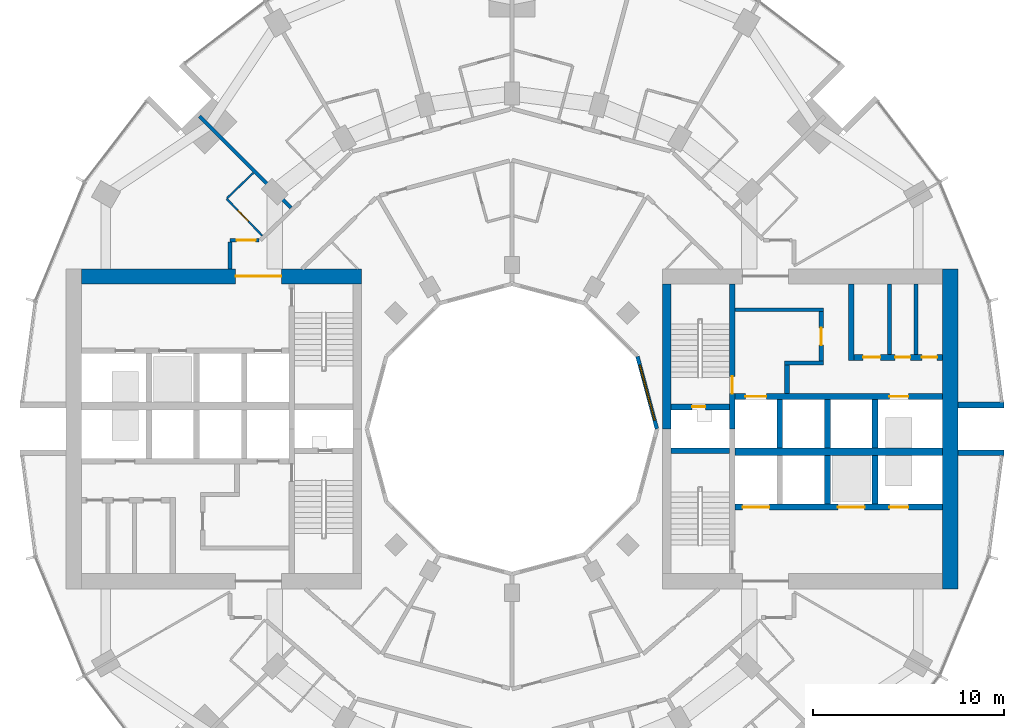
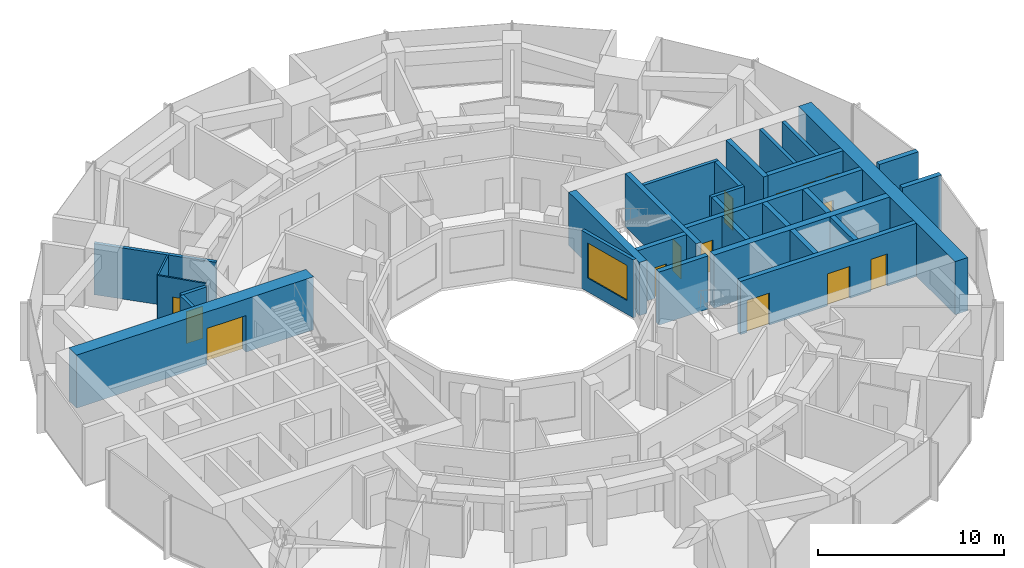
# One storey, part 11 of 15: 30 walls, 14 doors, 1 window, 15 openings.
"""IFC4 building model written with IfcOpenShell, lengths in metres."""

from ifc_helpers import new_model, si_unit, direction, frame, frame_2d, origin, place, context, subcontext, project, spatial, rectangle, extrude, material, layer, layer_set, type_object, element, fill, save


model = new_model("IFC4")

# Units and contexts
model_context = context("Model", 3, precision=1e-05, world=origin(), true_north=direction((0.0, 1.0)))
body_context = subcontext(model_context, "Body", "Model", "MODEL_VIEW")
ifc_project = project(units=[si_unit("LENGTHUNIT", "METRE"), si_unit("AREAUNIT", "SQUARE_METRE"), si_unit("VOLUMEUNIT", "CUBIC_METRE"), si_unit("PLANEANGLEUNIT", "RADIAN"), si_unit("MASSUNIT", "GRAM", prefix="KILO")], contexts=[model_context])

# Site, building, storey
site_placement = place(None, origin())
site = spatial("IfcSite", under=ifc_project, at=site_placement, CompositionType="ELEMENT")
building_placement = place(site_placement, origin())
building = spatial("IfcBuilding", under=site, at=building_placement, Name="Torre Brocal", CompositionType="ELEMENT")
storey_placement = place(building_placement, frame((0.0, 0.0, 32.60009765625)))
storey = spatial("IfcBuildingStorey", under=building, at=storey_placement, Name="L06", CompositionType="ELEMENT", Elevation=32.60009765625)

# Walls
ifc_material_1 = material(Name="Masonry block", Category="masonry")
ifc_layer_1 = layer(ifc_material_1, 0.199951171875)
ifc_layer_set_1 = layer_set([ifc_layer_1], Name="Masonry block")
wall_type_1 = type_object("IfcWallType", Name="CORE PARTITION 200", PredefinedType="PARTITIONING", material=ifc_layer_set_1)
for number, where, z_axis, x_axis, name in (
    (1, (99.81005859375, 78.89990234375, 0.0), (0.0, 0.0, 1.0), (0.0, 1.0, 0.0), "Wall CP200"),
    (2, (101.205078125, 78.89990234375, 0.0), (0.0, 0.0, 1.0), (0.0, 1.0, 0.0), "Wall CP200"),
):
    element("IfcWall", number, at=place(storey_placement, frame(where, z_axis=z_axis, x_axis=x_axis)), inside=storey, type_object=wall_type_1, Name=name, PredefinedType="PARTITIONING", context=body_context, shape_type="SweptSolid", body=[
        extrude(rectangle(XDim=3.7001953125, YDim=0.199951171875, at=frame_2d((1.85009765625, 0.0))), origin(), (0.0, 0.0, 1.0), 3.47998046875),
    ])
ifc_material_2 = material(Name="Concrete C80", Category="concrete")
ifc_layer_2 = layer(ifc_material_2, 0.199951171875)
ifc_layer_set_2 = layer_set([ifc_layer_2], Name="Concrete C80")
wall_type_2 = type_object("IfcWallType", Name="CORE WALL 200 C80", PredefinedType="SHEAR", material=ifc_layer_set_2)
wall_1_placement = place(storey_placement, frame((91.699951171875, 81.25, 0.0), z_axis=(0.0, 0.0, 1.0), x_axis=(1.0, 0.0, 0.0)))
element("IfcWall", 3, at=wall_1_placement, inside=storey, type_object=wall_type_2, Name="Wall CW200-80", PredefinedType="SHEAR", context=body_context, shape_type="SweptSolid", body=[
    extrude(rectangle(XDim=4.650146484375, YDim=0.199951171875, at=frame_2d((2.3251953125, 0.0))), origin(), (0.0, 0.0, 1.0), 3.47998046875),
])
wall_2_placement = place(storey_placement, frame((94.300048828125, 78.449951171875, 0.0), z_axis=(0.0, 0.0, 1.0), x_axis=(1.0, 0.0, 0.0)))
element("IfcWall", 4, at=wall_2_placement, inside=storey, type_object=wall_type_2, Name="Wall CW200-80", PredefinedType="SHEAR", context=body_context, shape_type="SweptSolid", body=[
    extrude(rectangle(XDim=2.050048828125, YDim=0.199951171875, at=frame_2d((1.02490234375, 0.0))), origin(), (0.0, 0.0, 1.0), 3.47998046875),
])

# Wall, opening, door
ifc_material_3 = material(Name="Concrete C80", Category="concrete")
ifc_layer_3 = layer(ifc_material_3, 0.25)
ifc_layer_set_3 = layer_set([ifc_layer_3], Name="Concrete C80")
wall_type_3 = type_object("IfcWallType", Name="CORE WALL 250 C80", PredefinedType="SHEAR", material=ifc_layer_set_3)
wall_3_placement = place(storey_placement, frame((96.22509765625, 78.550048828125, 0.0), z_axis=(0.0, 0.0, 1.0), x_axis=(0.0, 1.0, 0.0)))
wall_3 = element("IfcWall", 5, at=wall_3_placement, inside=storey, type_object=wall_type_3, Name="Wall CW250-80", PredefinedType="SHEAR", context=body_context, shape_type="SweptSolid", body=[
    extrude(rectangle(XDim=2.599853515625, YDim=0.25, at=frame_2d((1.2998046875, 0.0))), origin(), (0.0, 0.0, 1.0), 3.47998046875),
])
opening_1_placement = place(wall_3_placement, frame((0.85009765625, 0.0, 0.0)))
opening_1 = element("IfcOpeningElement", 6, at=opening_1_placement, cuts=wall_3, Name="Opening E-D15", PredefinedType="OPENING", context=body_context, shape_type="SweptSolid", body=[
    extrude(rectangle(XDim=0.89990234375, YDim=2.10009765625, at=frame_2d((0.449951171875, 1.050048828125))), frame((0.0, 0.135009765625, 0.0), z_axis=(0.0, -1.0, 0.0), x_axis=(1.0, 0.0, 0.0)), (0.0, 0.0, 1.0), 0.27001953125),
])
ifc_material_4 = material(Name="Steel A653", Category="steel")
door_type_1 = type_object("IfcDoorType", Name="LOBBY DOOR FD120 900X2100", OperationType="SINGLE_SWING_RIGHT", PredefinedType="DOOR", material=ifc_material_4)
door_1_placement = place(opening_1_placement, origin())
door_1 = element("IfcDoor", 7, at=door_1_placement, inside=storey, type_object=door_type_1, Name="Door E-D15", OperationType="SINGLE_SWING_LEFT", OverallHeight=2.10009765625, OverallWidth=0.89990234375, PredefinedType="DOOR", context=body_context, shape_type="SweptSolid", body=[
    extrude(rectangle(XDim=0.89990234375, YDim=2.10009765625, at=frame_2d((0.449951171875, 1.050048828125))), frame((0.0, 0.02490234375, 0.0), z_axis=(0.0, -1.0, 0.0), x_axis=(1.0, 0.0, 0.0)), (0.0, 0.0, 1.0), 0.050048828125),
])
fill(opening_1, door_1)

# Wall
wall_4_placement = place(storey_placement, frame((94.425048828125, 76.85009765625, 0.0), z_axis=(0.0, 0.0, 1.0), x_axis=(0.0, 1.0, 0.0)))
element("IfcWall", 8, at=wall_4_placement, inside=storey, type_object=wall_type_3, Name="Wall CW250-80", PredefinedType="SHEAR", context=body_context, shape_type="SweptSolid", body=[
    extrude(rectangle(XDim=1.5, YDim=0.25, at=frame_2d((0.75, 0.0))), origin(), (0.0, 0.0, 1.0), 3.47998046875),
])

# Wall, opening, door
ifc_material_5 = material(Name="Concrete C80", Category="concrete")
ifc_layer_4 = layer(ifc_material_5, 0.300048828125)
ifc_layer_set_4 = layer_set([ifc_layer_4], Name="Concrete C80")
wall_type_4 = type_object("IfcWallType", Name="CORE WALL 300 C80", PredefinedType="SHEAR", material=ifc_layer_set_4)
wall_5_placement = place(storey_placement, frame((91.550048828125, 75.0, 0.0), z_axis=(0.0, 0.0, 1.0), x_axis=(0.0, 1.0, 0.0)))
wall_5 = element("IfcWall", 9, at=wall_5_placement, inside=storey, type_object=wall_type_4, Name="Wall CW300-80", PredefinedType="SHEAR", context=body_context, shape_type="SweptSolid", body=[
    extrude(rectangle(XDim=7.60009765625, YDim=0.300048828125, at=frame_2d((3.800048828125, 0.0))), origin(), (0.0, 0.0, 1.0), 3.47998046875),
])
opening_2_placement = place(wall_5_placement, frame((1.85009765625, 0.0, 0.0)))
opening_2 = element("IfcOpeningElement", 10, at=opening_2_placement, cuts=wall_5, Name="Opening E-D02", PredefinedType="OPENING", context=body_context, shape_type="SweptSolid", body=[
    extrude(rectangle(XDim=0.89990234375, YDim=2.10009765625, at=frame_2d((0.449951171875, 1.050048828125))), frame((0.0, 0.159912109375, 0.0), z_axis=(0.0, -1.0, 0.0), x_axis=(1.0, 0.0, 0.0)), (0.0, 0.0, 1.0), 0.320068359375),
])
ifc_material_6 = material(Name="Steel A653", Category="steel")
door_type_2 = type_object("IfcDoorType", Name="STAIR DOOR FD120 900X2100", OperationType="SINGLE_SWING_RIGHT", PredefinedType="DOOR", material=ifc_material_6)
door_2_placement = place(opening_2_placement, origin())
door_2 = element("IfcDoor", 11, at=door_2_placement, inside=storey, type_object=door_type_2, Name="Door E-D02", OperationType="SINGLE_SWING_LEFT", OverallHeight=2.10009765625, OverallWidth=0.89990234375, PredefinedType="DOOR", context=body_context, shape_type="SweptSolid", body=[
    extrude(rectangle(XDim=0.89990234375, YDim=2.10009765625, at=frame_2d((0.449951171875, 1.050048828125))), frame((0.0, 0.02490234375, 0.0), z_axis=(0.0, -1.0, 0.0), x_axis=(1.0, 0.0, 0.0)), (0.0, 0.0, 1.0), 0.050048828125),
])
fill(opening_2, door_2)

wall_6_placement = place(storey_placement, frame((88.35009765625, 76.14990234375, 0.0), z_axis=(0.0, 0.0, 1.0), x_axis=(1.0, 0.0, 0.0)))
wall_6 = element("IfcWall", 12, at=wall_6_placement, inside=storey, type_object=wall_type_4, Name="Wall CW300-80", PredefinedType="SHEAR", context=body_context, shape_type="SweptSolid", body=[
    extrude(rectangle(XDim=3.0498046875, YDim=0.300048828125, at=frame_2d((1.52490234375, 0.0))), origin(), (0.0, 0.0, 1.0), 3.47998046875),
])
opening_3_placement = place(wall_6_placement, frame((1.10009765625, 0.0, 0.0)))
opening_3 = element("IfcOpeningElement", 13, at=opening_3_placement, cuts=wall_6, Name="Opening E-D01", PredefinedType="OPENING", context=body_context, shape_type="SweptSolid", body=[
    extrude(rectangle(XDim=0.699951171875, YDim=2.0, at=frame_2d((0.35009765625, 1.0))), frame((0.0, 0.159912109375, 0.0), z_axis=(0.0, -1.0, 0.0), x_axis=(1.0, 0.0, 0.0)), (0.0, 0.0, 1.0), 0.320068359375),
])
ifc_material_7 = material(Name="Steel A653", Category="steel")
door_type_3 = type_object("IfcDoorType", Name="RISER DOOR FD120 700X2000", OperationType="SINGLE_SWING_LEFT", PredefinedType="DOOR", material=ifc_material_7)
door_3_placement = place(opening_3_placement, frame((0.699951171875, 0.0, 0.0), z_axis=(0.0, 0.0, 1.0), x_axis=(-1.0, 0.0, 0.0)))
door_3 = element("IfcDoor", 14, at=door_3_placement, inside=storey, type_object=door_type_3, Name="Door E-D01", OperationType="SINGLE_SWING_RIGHT", OverallHeight=2.0, OverallWidth=0.699951171875, PredefinedType="DOOR", context=body_context, shape_type="SweptSolid", body=[
    extrude(rectangle(XDim=0.699951171875, YDim=2.0, at=frame_2d((0.35009765625, 1.0))), frame((0.0, 0.02490234375, 0.0), z_axis=(0.0, -1.0, 0.0), x_axis=(1.0, 0.0, 0.0)), (0.0, 0.0, 1.0), 0.050048828125),
])
fill(opening_3, door_3)

# Wall
wall_7_placement = place(storey_placement, frame((88.35009765625, 73.85009765625, 0.0), z_axis=(0.0, 0.0, 1.0), x_axis=(1.0, 0.0, 0.0)))
element("IfcWall", 15, at=wall_7_placement, inside=storey, type_object=wall_type_4, Name="Wall CW300-80", PredefinedType="SHEAR", context=body_context, shape_type="SweptSolid", body=[
    extrude(rectangle(XDim=3.0498046875, YDim=0.300048828125, at=frame_2d((1.52490234375, 0.0))), origin(), (0.0, 0.0, 1.0), 3.47998046875),
])

# Wall, openings, doors
wall_8_placement = place(storey_placement, frame((91.699951171875, 76.699951171875, 0.0), z_axis=(0.0, 0.0, 1.0), x_axis=(1.0, 0.0, 0.0)))
wall_8 = element("IfcWall", 16, at=wall_8_placement, inside=storey, type_object=wall_type_4, Name="Wall CW300-80", PredefinedType="SHEAR", context=body_context, shape_type="SweptSolid", body=[
    extrude(rectangle(XDim=10.900146484375, YDim=0.300048828125, at=frame_2d((5.4501953125, 0.0))), origin(), (0.0, 0.0, 1.0), 3.47998046875),
])
opening_4_placement = place(wall_8_placement, frame((0.550048828125, 0.0, 0.0)))
opening_4 = element("IfcOpeningElement", 17, at=opening_4_placement, cuts=wall_8, Name="Opening LD", PredefinedType="OPENING", context=body_context, shape_type="SweptSolid", body=[
    extrude(rectangle(XDim=1.10009765625, YDim=2.10009765625, at=frame_2d((0.550048828125, 1.050048828125))), frame((0.0, 0.159912109375, 0.0), z_axis=(0.0, -1.0, 0.0), x_axis=(1.0, 0.0, 0.0)), (0.0, 0.0, 1.0), 0.320068359375),
])
opening_5_placement = place(wall_8_placement, frame((8.10009765625, 0.0, 0.0)))
opening_5 = element("IfcOpeningElement", 18, at=opening_5_placement, cuts=wall_8, Name="Opening LD10", PredefinedType="OPENING", context=body_context, shape_type="SweptSolid", body=[
    extrude(rectangle(XDim=1.0, YDim=2.10009765625, at=frame_2d((0.5, 1.050048828125))), frame((0.0, 0.159912109375, 0.0), z_axis=(0.0, -1.0, 0.0), x_axis=(1.0, 0.0, 0.0)), (0.0, 0.0, 1.0), 0.320068359375),
])
ifc_material_8 = material(Name="Stainless steel AISI 316", Category="steel")
door_type_4 = type_object("IfcDoorType", Name="LIFT LANDING DOOR 1000X2100", OperationType="DOUBLE_DOOR_SLIDING", PredefinedType="DOOR", material=ifc_material_8)
door_4_placement = place(opening_5_placement, origin())
door_4 = element("IfcDoor", 19, at=door_4_placement, inside=storey, type_object=door_type_4, Name="Door LD10", OperationType="DOUBLE_DOOR_SLIDING", OverallHeight=2.10009765625, OverallWidth=1.0, PredefinedType="DOOR", context=body_context, shape_type="SweptSolid", body=[
    extrude(rectangle(XDim=1.0, YDim=2.10009765625, at=frame_2d((0.5, 1.050048828125))), frame((0.0, 0.02490234375, 0.0), z_axis=(0.0, -1.0, 0.0), x_axis=(1.0, 0.0, 0.0)), (0.0, 0.0, 1.0), 0.050048828125),
])
fill(opening_5, door_4)
ifc_material_9 = material(Name="Stainless steel AISI 316", Category="steel")
door_type_5 = type_object("IfcDoorType", Name="LIFT LANDING DOOR 1100X2100", OperationType="DOUBLE_DOOR_SLIDING", PredefinedType="DOOR", material=ifc_material_9)
door_5_placement = place(opening_4_placement, origin())
door_5 = element("IfcDoor", 20, at=door_5_placement, inside=storey, type_object=door_type_5, Name="Door LD", OperationType="DOUBLE_DOOR_SLIDING", OverallHeight=2.10009765625, OverallWidth=1.10009765625, PredefinedType="DOOR", context=body_context, shape_type="SweptSolid", body=[
    extrude(rectangle(XDim=1.10009765625, YDim=2.10009765625, at=frame_2d((0.550048828125, 1.050048828125))), frame((0.0, 0.02490234375, 0.0), z_axis=(0.0, -1.0, 0.0), x_axis=(1.0, 0.0, 0.0)), (0.0, 0.0, 1.0), 0.050048828125),
])
fill(opening_4, door_5)

wall_9_placement = place(storey_placement, frame((91.699951171875, 70.89990234375, 0.0), z_axis=(0.0, 0.0, 1.0), x_axis=(1.0, 0.0, 0.0)))
wall_9 = element("IfcWall", 21, at=wall_9_placement, inside=storey, type_object=wall_type_4, Name="Wall CW300-80", PredefinedType="SHEAR", context=body_context, shape_type="SweptSolid", body=[
    extrude(rectangle(XDim=10.900146484375, YDim=0.300048828125, at=frame_2d((5.4501953125, 0.0))), origin(), (0.0, 0.0, 1.0), 3.47998046875),
])
opening_6_placement = place(wall_9_placement, frame((0.39990234375, 0.0, 0.0)))
opening_6 = element("IfcOpeningElement", 22, at=opening_6_placement, cuts=wall_9, Name="Opening LD14", PredefinedType="OPENING", context=body_context, shape_type="SweptSolid", body=[
    extrude(rectangle(XDim=1.39990234375, YDim=2.10009765625, at=frame_2d((0.699951171875, 1.050048828125))), frame((0.0, 0.159912109375, 0.0), z_axis=(0.0, -1.0, 0.0), x_axis=(1.0, 0.0, 0.0)), (0.0, 0.0, 1.0), 0.320068359375),
])
opening_7_placement = place(wall_9_placement, frame((5.39990234375, 0.0, 0.0)))
opening_7 = element("IfcOpeningElement", 23, at=opening_7_placement, cuts=wall_9, Name="Opening LD14", PredefinedType="OPENING", context=body_context, shape_type="SweptSolid", body=[
    extrude(rectangle(XDim=1.39990234375, YDim=2.10009765625, at=frame_2d((0.699951171875, 1.050048828125))), frame((0.0, 0.159912109375, 0.0), z_axis=(0.0, -1.0, 0.0), x_axis=(1.0, 0.0, 0.0)), (0.0, 0.0, 1.0), 0.320068359375),
])
opening_8_placement = place(wall_9_placement, frame((8.10009765625, 0.0, 0.0)))
opening_8 = element("IfcOpeningElement", 24, at=opening_8_placement, cuts=wall_9, Name="Opening LD10", PredefinedType="OPENING", context=body_context, shape_type="SweptSolid", body=[
    extrude(rectangle(XDim=1.0, YDim=2.10009765625, at=frame_2d((0.5, 1.050048828125))), frame((0.0, 0.159912109375, 0.0), z_axis=(0.0, -1.0, 0.0), x_axis=(1.0, 0.0, 0.0)), (0.0, 0.0, 1.0), 0.320068359375),
])
door_6_placement = place(opening_8_placement, origin())
door_6 = element("IfcDoor", 25, at=door_6_placement, inside=storey, type_object=door_type_4, Name="Door LD10", OperationType="DOUBLE_DOOR_SLIDING", OverallHeight=2.10009765625, OverallWidth=1.0, PredefinedType="DOOR", context=body_context, shape_type="SweptSolid", body=[
    extrude(rectangle(XDim=1.0, YDim=2.10009765625, at=frame_2d((0.5, 1.050048828125))), frame((0.0, 0.02490234375, 0.0), z_axis=(0.0, -1.0, 0.0), x_axis=(1.0, 0.0, 0.0)), (0.0, 0.0, 1.0), 0.050048828125),
])
fill(opening_8, door_6)
ifc_material_10 = material(Name="Stainless steel AISI 316", Category="steel")
door_type_6 = type_object("IfcDoorType", Name="LIFT LANDING DOOR 1400X2100", OperationType="DOUBLE_DOOR_SLIDING", PredefinedType="DOOR", material=ifc_material_10)
door_7_placement = place(opening_6_placement, origin())
door_7 = element("IfcDoor", 26, at=door_7_placement, inside=storey, type_object=door_type_6, Name="Door LD14", OperationType="DOUBLE_DOOR_SLIDING", OverallHeight=2.10009765625, OverallWidth=1.39990234375, PredefinedType="DOOR", context=body_context, shape_type="SweptSolid", body=[
    extrude(rectangle(XDim=1.39990234375, YDim=2.10009765625, at=frame_2d((0.699951171875, 1.050048828125))), frame((0.0, 0.02490234375, 0.0), z_axis=(0.0, -1.0, 0.0), x_axis=(1.0, 0.0, 0.0)), (0.0, 0.0, 1.0), 0.050048828125),
])
fill(opening_6, door_7)
door_8_placement = place(opening_7_placement, origin())
door_8 = element("IfcDoor", 27, at=door_8_placement, inside=storey, type_object=door_type_6, Name="Door LD14", OperationType="DOUBLE_DOOR_SLIDING", OverallHeight=2.10009765625, OverallWidth=1.39990234375, PredefinedType="DOOR", context=body_context, shape_type="SweptSolid", body=[
    extrude(rectangle(XDim=1.39990234375, YDim=2.10009765625, at=frame_2d((0.699951171875, 1.050048828125))), frame((0.0, 0.02490234375, 0.0), z_axis=(0.0, -1.0, 0.0), x_axis=(1.0, 0.0, 0.0)), (0.0, 0.0, 1.0), 0.050048828125),
])
fill(opening_7, door_8)

# Walls
for number, where, z_axis, x_axis, name in (
    (28, (94.050048828125, 74.0, 0.0), (0.0, 0.0, 1.0), (0.0, 1.0, 0.0), "Wall CW300-80"),
    (29, (96.550048828125, 74.0, 0.0), (0.0, 0.0, 1.0), (0.0, 1.0, 0.0), "Wall CW300-80"),
    (30, (99.050048828125, 74.0, 0.0), (0.0, 0.0, 1.0), (0.0, 1.0, 0.0), "Wall CW300-80"),
    (31, (96.550048828125, 71.050048828125, 0.0), (0.0, 0.0, 1.0), (0.0, 1.0, 0.0), "Wall CW300-80"),
    (32, (99.050048828125, 71.050048828125, 0.0), (0.0, 0.0, 1.0), (0.0, 1.0, 0.0), "Wall CW300-80"),
):
    element("IfcWall", number, at=place(storey_placement, frame(where, z_axis=z_axis, x_axis=x_axis)), inside=storey, type_object=wall_type_4, Name=name, PredefinedType="SHEAR", context=body_context, shape_type="SweptSolid", body=[
        extrude(rectangle(XDim=2.550048828125, YDim=0.300048828125, at=frame_2d((1.27490234375, 0.0))), origin(), (0.0, 0.0, 1.0), 3.47998046875),
    ])
wall_10_placement = place(storey_placement, frame((97.800048828125, 78.60009765625, 0.0), z_axis=(0.0, 0.0, 1.0), x_axis=(0.0, 1.0, 0.0)))
element("IfcWall", 33, at=wall_10_placement, inside=storey, type_object=wall_type_4, Name="Wall CW300-80", PredefinedType="SHEAR", context=body_context, shape_type="SweptSolid", body=[
    extrude(rectangle(XDim=4.0, YDim=0.300048828125, at=frame_2d((2.0, 0.0))), origin(), (0.0, 0.0, 1.0), 3.47998046875),
])

# Wall, openings, doors
wall_11_placement = place(storey_placement, frame((97.949951171875, 78.75, 0.0), z_axis=(0.0, 0.0, 1.0), x_axis=(1.0, 0.0, 0.0)))
wall_11 = element("IfcWall", 34, at=wall_11_placement, inside=storey, type_object=wall_type_4, Name="Wall CW300-80", PredefinedType="SHEAR", context=body_context, shape_type="SweptSolid", body=[
    extrude(rectangle(XDim=4.650146484375, YDim=0.300048828125, at=frame_2d((2.3251953125, 0.0))), origin(), (0.0, 0.0, 1.0), 3.47998046875),
])
opening_9_placement = place(wall_11_placement, frame((0.47998046875, 0.0, 0.0)))
opening_9 = element("IfcOpeningElement", 35, at=opening_9_placement, cuts=wall_11, Name="Opening E-D05", PredefinedType="OPENING", context=body_context, shape_type="SweptSolid", body=[
    extrude(rectangle(XDim=0.89990234375, YDim=2.10009765625, at=frame_2d((0.449951171875, 1.050048828125))), frame((0.0, 0.159912109375, 0.0), z_axis=(0.0, -1.0, 0.0), x_axis=(1.0, 0.0, 0.0)), (0.0, 0.0, 1.0), 0.320068359375),
])
opening_10_placement = place(wall_11_placement, frame((2.157470703125, 0.0, 0.0)))
opening_10 = element("IfcOpeningElement", 36, at=opening_10_placement, cuts=wall_11, Name="Opening E-D22", PredefinedType="OPENING", context=body_context, shape_type="SweptSolid", body=[
    extrude(rectangle(XDim=0.800048828125, YDim=2.10009765625, at=frame_2d((0.39990234375, 1.050048828125))), frame((0.0, 0.159912109375, 0.0), z_axis=(0.0, -1.0, 0.0), x_axis=(1.0, 0.0, 0.0)), (0.0, 0.0, 1.0), 0.320068359375),
])
opening_11_placement = place(wall_11_placement, frame((3.552490234375, 0.0, 0.0)))
opening_11 = element("IfcOpeningElement", 37, at=opening_11_placement, cuts=wall_11, Name="Opening E-D25", PredefinedType="OPENING", context=body_context, shape_type="SweptSolid", body=[
    extrude(rectangle(XDim=0.800048828125, YDim=2.10009765625, at=frame_2d((0.39990234375, 1.050048828125))), frame((0.0, 0.159912109375, 0.0), z_axis=(0.0, -1.0, 0.0), x_axis=(1.0, 0.0, 0.0)), (0.0, 0.0, 1.0), 0.320068359375),
])
ifc_material_11 = material(Name="Steel A653", Category="steel")
door_type_7 = type_object("IfcDoorType", Name="ROOM DOOR FD30S 800X2100", OperationType="SINGLE_SWING_LEFT", PredefinedType="DOOR", material=ifc_material_11)
door_9_placement = place(opening_10_placement, origin())
door_9 = element("IfcDoor", 38, at=door_9_placement, inside=storey, type_object=door_type_7, Name="Door E-D22", OperationType="SINGLE_SWING_RIGHT", OverallHeight=2.10009765625, OverallWidth=0.800048828125, PredefinedType="DOOR", context=body_context, shape_type="SweptSolid", body=[
    extrude(rectangle(XDim=0.800048828125, YDim=2.10009765625, at=frame_2d((0.39990234375, 1.050048828125))), frame((0.0, 0.02490234375, 0.0), z_axis=(0.0, -1.0, 0.0), x_axis=(1.0, 0.0, 0.0)), (0.0, 0.0, 1.0), 0.050048828125),
])
fill(opening_10, door_9)
door_10_placement = place(opening_11_placement, origin())
door_10 = element("IfcDoor", 39, at=door_10_placement, inside=storey, type_object=door_type_7, Name="Door E-D25", OperationType="SINGLE_SWING_LEFT", OverallHeight=2.10009765625, OverallWidth=0.800048828125, PredefinedType="DOOR", context=body_context, shape_type="SweptSolid", body=[
    extrude(rectangle(XDim=0.800048828125, YDim=2.10009765625, at=frame_2d((0.39990234375, 1.050048828125))), frame((0.0, 0.02490234375, 0.0), z_axis=(0.0, -1.0, 0.0), x_axis=(1.0, 0.0, 0.0)), (0.0, 0.0, 1.0), 0.050048828125),
])
fill(opening_11, door_10)
ifc_material_12 = material(Name="Steel A653", Category="steel")
door_type_8 = type_object("IfcDoorType", Name="ROOM DOOR FD30S 900X2100", OperationType="SINGLE_SWING_LEFT", PredefinedType="DOOR", material=ifc_material_12)
door_11_placement = place(opening_9_placement, origin())
door_11 = element("IfcDoor", 40, at=door_11_placement, inside=storey, type_object=door_type_8, Name="Door E-D05", OperationType="SINGLE_SWING_RIGHT", OverallHeight=2.10009765625, OverallWidth=0.89990234375, PredefinedType="DOOR", context=body_context, shape_type="SweptSolid", body=[
    extrude(rectangle(XDim=0.89990234375, YDim=2.10009765625, at=frame_2d((0.449951171875, 1.050048828125))), frame((0.0, 0.02490234375, 0.0), z_axis=(0.0, -1.0, 0.0), x_axis=(1.0, 0.0, 0.0)), (0.0, 0.0, 1.0), 0.050048828125),
])
fill(opening_9, door_11)

# Walls
ifc_material_13 = material(Name="Concrete C80", Category="concrete")
ifc_layer_5 = layer(ifc_material_13, 0.39990234375)
ifc_layer_set_5 = layer_set([ifc_layer_5], Name="Concrete C80")
wall_type_5 = type_object("IfcWallType", Name="CORE WALL 400 C80", PredefinedType="SHEAR", material=ifc_layer_set_5)
wall_12_placement = place(storey_placement, frame((91.699951171875, 73.800048828125, 0.0), z_axis=(0.0, 0.0, 1.0), x_axis=(1.0, 0.0, 0.0)))
element("IfcWall", 41, at=wall_12_placement, inside=storey, type_object=wall_type_5, Name="Wall CW400-80", PredefinedType="SHEAR", context=body_context, shape_type="SweptSolid", body=[
    extrude(rectangle(XDim=10.900146484375, YDim=0.39990234375, at=frame_2d((5.4501953125, 0.0))), origin(), (0.0, 0.0, 1.0), 3.47998046875),
])
ifc_material_14 = material(Name="Concrete C80", Category="concrete")
ifc_layer_6 = layer(ifc_material_14, 0.449951171875)
ifc_layer_set_6 = layer_set([ifc_layer_6], Name="Concrete C80")
wall_type_6 = type_object("IfcWallType", Name="CORE WALL 450 C80", PredefinedType="SHEAR", material=ifc_layer_set_6)
wall_13_placement = place(storey_placement, frame((88.125, 75.0, 0.0), z_axis=(0.0, 0.0, 1.0), x_axis=(0.0, 1.0, 0.0)))
element("IfcWall", 42, at=wall_13_placement, inside=storey, type_object=wall_type_6, Name="Wall CW450-80", PredefinedType="SHEAR", context=body_context, shape_type="SweptSolid", body=[
    extrude(rectangle(XDim=7.60009765625, YDim=0.449951171875, at=frame_2d((3.800048828125, 0.0))), origin(), (0.0, 0.0, 1.0), 3.47998046875),
])
ifc_material_15 = material(Name="Concrete C80", Category="concrete")
ifc_layer_7 = layer(ifc_material_15, 0.800048828125)
ifc_layer_set_7 = layer_set([ifc_layer_7], Name="Concrete C80")
wall_type_7 = type_object("IfcWallType", Name="CORE WALL 800 C80", PredefinedType="SHEAR", material=ifc_layer_set_7)
wall_14_placement = place(storey_placement, frame((103.0, 66.60009765625, 0.0), z_axis=(0.0, 0.0, 1.0), x_axis=(0.0, 1.0, 0.0)))
element("IfcWall", 43, at=wall_14_placement, inside=storey, type_object=wall_type_7, Name="Wall CW800-80", PredefinedType="SHEAR", context=body_context, shape_type="SweptSolid", body=[
    extrude(rectangle(XDim=16.7998046875, YDim=0.800048828125, at=frame_2d((8.39990234375, 0.0))), origin(), (0.0, 0.0, 1.0), 3.47998046875),
])

# Wall, opening, door
wall_15_placement = place(storey_placement, frame((72.10009765625, 83.0, 0.0), z_axis=(0.0, 0.0, 1.0), x_axis=(-1.0, 0.0, 0.0)))
wall_15 = element("IfcWall", 44, at=wall_15_placement, inside=storey, type_object=wall_type_7, Name="Wall CW800-80", PredefinedType="SHEAR", context=body_context, shape_type="SweptSolid", body=[
    extrude(rectangle(XDim=14.7001953125, YDim=0.800048828125, at=frame_2d((7.35009765625, 0.0))), origin(), (0.0, 0.0, 1.0), 3.47998046875),
])
opening_12_placement = place(wall_15_placement, frame((4.199951171875, 0.0, 0.0)))
opening_12 = element("IfcOpeningElement", 45, at=opening_12_placement, cuts=wall_15, Name="Opening W-D30", PredefinedType="OPENING", context=body_context, shape_type="SweptSolid", body=[
    extrude(rectangle(XDim=2.39990234375, YDim=2.39990234375, at=frame_2d((1.199951171875, 1.199951171875))), frame((0.0, 0.409912109375, 0.0), z_axis=(0.0, -1.0, 0.0), x_axis=(1.0, 0.0, 0.0)), (0.0, 0.0, 1.0), 0.820068359375),
])
ifc_material_16 = material(Name="Steel A653", Category="steel")
door_type_9 = type_object("IfcDoorType", Name="DOUBLE FIRE DOOR FD90 2400X2400", OperationType="DOUBLE_DOOR_SINGLE_SWING", PredefinedType="DOOR", material=ifc_material_16)
door_12_placement = place(opening_12_placement, origin())
door_12 = element("IfcDoor", 46, at=door_12_placement, inside=storey, type_object=door_type_9, Name="Door W-D30", OperationType="DOUBLE_DOOR_SINGLE_SWING", OverallHeight=2.39990234375, OverallWidth=2.39990234375, PredefinedType="DOOR", context=body_context, shape_type="SweptSolid", body=[
    extrude(rectangle(XDim=2.39990234375, YDim=2.39990234375, at=frame_2d((1.199951171875, 1.199951171875))), frame((0.0, 0.02490234375, 0.0), z_axis=(0.0, -1.0, 0.0), x_axis=(1.0, 0.0, 0.0)), (0.0, 0.0, 1.0), 0.050048828125),
])
fill(opening_12, door_12)

# Walls
ifc_material_17 = material(Name="Concrete C80", Category="concrete")
ifc_layer_8 = layer(ifc_material_17, 0.300048828125)
ifc_layer_set_8 = layer_set([ifc_layer_8], Name="Concrete C80")
wall_type_8 = type_object("IfcWallType", Name="NOTCH RETURN WALL 300 C80", PredefinedType="NOTDEFINED", material=ifc_layer_set_8)
for number, where, z_axis, x_axis, name in (
    (47, (103.39990234375, 73.75, 0.0), (0.0, 0.0, 1.0), (1.0, 0.0, 0.0), "NOTCH RETURN WALL"),
    (48, (103.39990234375, 76.25, 0.0), (0.0, 0.0, 1.0), (1.0, 0.0, 0.0), "NOTCH RETURN WALL"),
):
    element("IfcWall", number, at=place(storey_placement, frame(where, z_axis=z_axis, x_axis=x_axis)), inside=storey, type_object=wall_type_8, Name=name, PredefinedType="NOTDEFINED", context=body_context, shape_type="SweptSolid", body=[
        extrude(rectangle(XDim=2.415771484375, YDim=0.300048828125, at=frame_2d((1.2080078125, 0.0))), origin(), (0.0, 0.0, 1.0), 3.7998046875),
    ])
ifc_material_18 = material(Name="Gypsum board", Category="Gypsum")
ifc_layer_9 = layer(ifc_material_18, 0.10009765625)
ifc_layer_set_9 = layer_set([ifc_layer_9], Name="Gypsum board")
wall_type_9 = type_object("IfcWallType", Name="PARTITION 100", PredefinedType="PARTITIONING", material=ifc_layer_set_9)
wall_16_placement = place(storey_placement, frame((65.05810546875, 87.113525390625, 0.0), z_axis=(0.0, 0.0, 1.0), x_axis=(0.719715847356, 0.694268751324, 0.0)))
element("IfcWall", 49, at=wall_16_placement, inside=storey, type_object=wall_type_9, Name="BATHROOM WALL", PredefinedType="PARTITIONING", context=body_context, shape_type="SweptSolid", body=[
    extrude(rectangle(XDim=1.899658203125, YDim=0.10009765625, at=frame_2d((0.94970703125, 0.0))), origin(), (0.0, 0.0, 1.0), 3.349853515625),
])

# Wall, opening, door
wall_17_placement = place(storey_placement, frame((65.02197265625, 87.0791015625, 0.0), z_axis=(0.0, 0.0, 1.0), x_axis=(0.694287838235, -0.719697434815, 0.0)))
wall_17 = element("IfcWall", 50, at=wall_17_placement, inside=storey, type_object=wall_type_9, Name="BATHROOM WALL", PredefinedType="PARTITIONING", context=body_context, shape_type="SweptSolid", body=[
    extrude(rectangle(XDim=2.699951171875, YDim=0.10009765625, at=frame_2d((1.35009765625, 0.0))), origin(), (0.0, 0.0, 1.0), 3.349853515625),
])
opening_13_placement = place(wall_17_placement, frame((0.849853515625, 0.0, 0.0)))
opening_13 = element("IfcOpeningElement", 51, at=opening_13_placement, cuts=wall_17, Name="Opening H01-D17", PredefinedType="OPENING", context=body_context, shape_type="SweptSolid", body=[
    extrude(rectangle(XDim=0.800048828125, YDim=2.10009765625, at=frame_2d((0.39990234375, 1.050048828125))), frame((0.0, 0.06005859375, 0.0), z_axis=(0.0, -1.0, 0.0), x_axis=(1.0, 0.0, 0.0)), (0.0, 0.0, 1.0), 0.1201171875),
])
ifc_material_19 = material(Name="Timber", Category="wood")
door_type_10 = type_object("IfcDoorType", Name="BATHROOM DOOR 800X2100", OperationType="SINGLE_SWING_LEFT", PredefinedType="DOOR", material=ifc_material_19)
door_13_placement = place(opening_13_placement, origin())
door_13 = element("IfcDoor", 52, at=door_13_placement, inside=storey, type_object=door_type_10, Name="H01-D17", OperationType="SINGLE_SWING_LEFT", OverallHeight=2.10009765625, OverallWidth=0.800048828125, PredefinedType="DOOR", context=body_context, shape_type="SweptSolid", body=[
    extrude(rectangle(XDim=0.800048828125, YDim=2.10009765625, at=frame_2d((0.39990234375, 1.050048828125))), frame((0.0, 0.02490234375, 0.0), z_axis=(0.0, -1.0, 0.0), x_axis=(1.0, 0.0, 0.0)), (0.0, 0.0, 1.0), 0.050048828125),
])
fill(opening_13, door_13)

# Walls
ifc_material_20 = material(Name="Gypsum board", Category="Gypsum")
ifc_layer_10 = layer(ifc_material_20, 0.199951171875)
ifc_layer_set_10 = layer_set([ifc_layer_10], Name="Gypsum board")
wall_type_10 = type_object("IfcWallType", Name="PARTITION 200 EI60", PredefinedType="PARTITIONING", material=ifc_layer_set_10)
wall_18_placement = place(storey_placement, frame((63.5986328125, 91.408203125, 0.0), z_axis=(0.0, 0.0, 1.0), x_axis=(0.706981017422, -0.707232522587, 0.0)))
element("IfcWall", 53, at=wall_18_placement, inside=storey, type_object=wall_type_10, Name="BATHROOM WALL", PredefinedType="PARTITIONING", context=body_context, shape_type="SweptSolid", body=[
    extrude(rectangle(XDim=6.794921875, YDim=0.199951171875, at=frame_2d((3.3974609375, 0.0))), origin(), (0.0, 0.0, 1.0), 3.349853515625),
])
wall_19_placement = place(storey_placement, frame((65.199951171875, 83.40087890625, 0.0), z_axis=(0.0, 0.0, 1.0), x_axis=(0.0, 1.0, 0.0)))
element("IfcWall", 54, at=wall_19_placement, inside=storey, type_object=wall_type_10, Name="GUESTROOM CORRIDOR WALL", PredefinedType="PARTITIONING", context=body_context, shape_type="SweptSolid", body=[
    extrude(rectangle(XDim=1.399169921875, YDim=0.199951171875, at=frame_2d((0.69970703125, 0.0))), origin(), (0.0, 0.0, 1.0), 3.349853515625),
])

# Wall, opening, door
wall_20_placement = place(storey_placement, frame((65.199951171875, 84.89990234375, 0.0), z_axis=(0.0, 0.0, 1.0), x_axis=(1.0, 0.0, 0.0)))
wall_20 = element("IfcWall", 55, at=wall_20_placement, inside=storey, type_object=wall_type_10, Name="GUESTROOM CORRIDOR WALL", PredefinedType="PARTITIONING", context=body_context, shape_type="SweptSolid", body=[
    extrude(rectangle(XDim=1.5361328125, YDim=0.199951171875, at=frame_2d((0.76806640625, 0.0))), origin(), (0.0, 0.0, 1.0), 3.349853515625),
])
opening_14_placement = place(wall_20_placement, frame((0.346923828125, 0.0, 0.0)))
opening_14 = element("IfcOpeningElement", 56, at=opening_14_placement, cuts=wall_20, Name="Opening H01-D16", PredefinedType="OPENING", context=body_context, shape_type="SweptSolid", body=[
    extrude(rectangle(XDim=1.0, YDim=2.10009765625, at=frame_2d((0.5, 1.050048828125))), frame((0.0, 0.10986328125, 0.0), z_axis=(0.0, -1.0, 0.0), x_axis=(1.0, 0.0, 0.0)), (0.0, 0.0, 1.0), 0.219970703125),
])
ifc_material_21 = material(Name="Timber", Category="wood")
door_type_11 = type_object("IfcDoorType", Name="FLAT ENTRY DOOR FD30S 1000X2100", OperationType="SINGLE_SWING_RIGHT", PredefinedType="DOOR", material=ifc_material_21)
door_14_placement = place(opening_14_placement, origin())
door_14 = element("IfcDoor", 57, at=door_14_placement, inside=storey, type_object=door_type_11, Name="H01-D16", OperationType="SINGLE_SWING_LEFT", OverallHeight=2.10009765625, OverallWidth=1.0, PredefinedType="DOOR", context=body_context, shape_type="SweptSolid", body=[
    extrude(rectangle(XDim=1.0, YDim=2.10009765625, at=frame_2d((0.5, 1.050048828125))), frame((0.0, 0.02490234375, 0.0), z_axis=(0.0, -1.0, 0.0), x_axis=(1.0, 0.0, 0.0)), (0.0, 0.0, 1.0), 0.050048828125),
])
fill(opening_14, door_14)

# Wall, opening, window
ifc_material_22 = material(Name="Concrete C40", Category="concrete")
ifc_layer_11 = layer(ifc_material_22, 0.199951171875)
ifc_layer_set_11 = layer_set([ifc_layer_11], Name="Concrete C40")
wall_type_11 = type_object("IfcWallType", Name="WELL FACADE WALL 200", PredefinedType="NOTDEFINED", material=ifc_layer_set_11)
wall_21_placement = place(storey_placement, frame((87.603515625, 75.0, 0.0), z_axis=(0.0, 0.0, 1.0), x_axis=(-0.258789828301, 0.965933654434, 0.0)))
wall_21 = element("IfcWall", 58, at=wall_21_placement, inside=storey, type_object=wall_type_11, Name="WELL FACADE WALL", PredefinedType="NOTDEFINED", context=body_context, shape_type="SweptSolid", body=[
    extrude(rectangle(XDim=3.935791015625, YDim=0.199951171875, at=frame_2d((1.9677734375, 0.0))), origin(), (0.0, 0.0, 1.0), 3.7998046875),
])
opening_15_placement = place(wall_21_placement, frame((0.468017578125, 0.0, 0.89990234375)))
opening_15 = element("IfcOpeningElement", 59, at=opening_15_placement, cuts=wall_21, Name="Opening W1", PredefinedType="OPENING", context=body_context, shape_type="SweptSolid", body=[
    extrude(rectangle(XDim=3.0, YDim=2.300048828125, at=frame_2d((1.5, 1.14990234375))), frame((0.0, 0.10986328125, 0.0), z_axis=(0.0, -1.0, 0.0), x_axis=(1.0, 0.0, 0.0)), (0.0, 0.0, 1.0), 0.219970703125),
])
ifc_material_23 = material(Name="Aluminium and glass", Category="aluminium")
window_type = type_object("IfcWindowType", Name="WELL WINDOW 3000X2300", PartitioningType="SINGLE_PANEL", PredefinedType="WINDOW", material=ifc_material_23)
window_placement = place(opening_15_placement, origin())
window = element("IfcWindow", 60, at=window_placement, inside=storey, type_object=window_type, Name="WELL WINDOW 3000X2300", OverallHeight=2.300048828125, OverallWidth=3.0, PartitioningType="SINGLE_PANEL", PredefinedType="WINDOW", context=body_context, shape_type="SweptSolid", body=[
    extrude(rectangle(XDim=3.0, YDim=2.300048828125, at=frame_2d((1.5, 1.14990234375))), frame((0.0, 0.030029296875, 0.0), z_axis=(0.0, -1.0, 0.0), x_axis=(1.0, 0.0, 0.0)), (0.0, 0.0, 1.0), 0.06005859375),
])
fill(opening_15, window)

save(model, "model.ifc")
